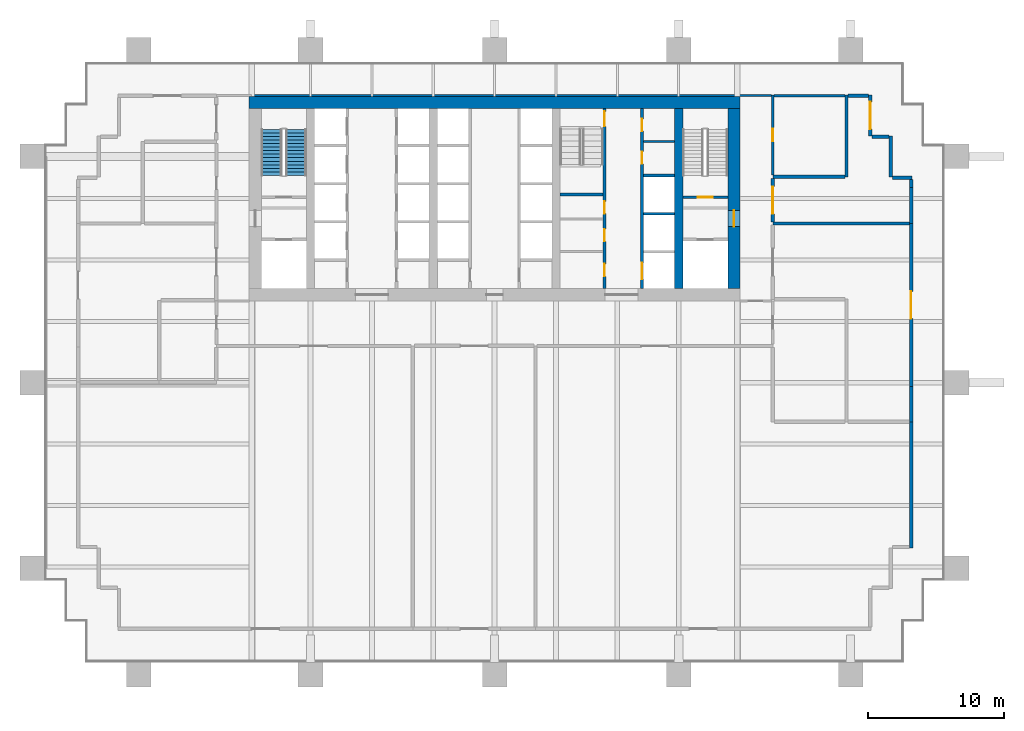
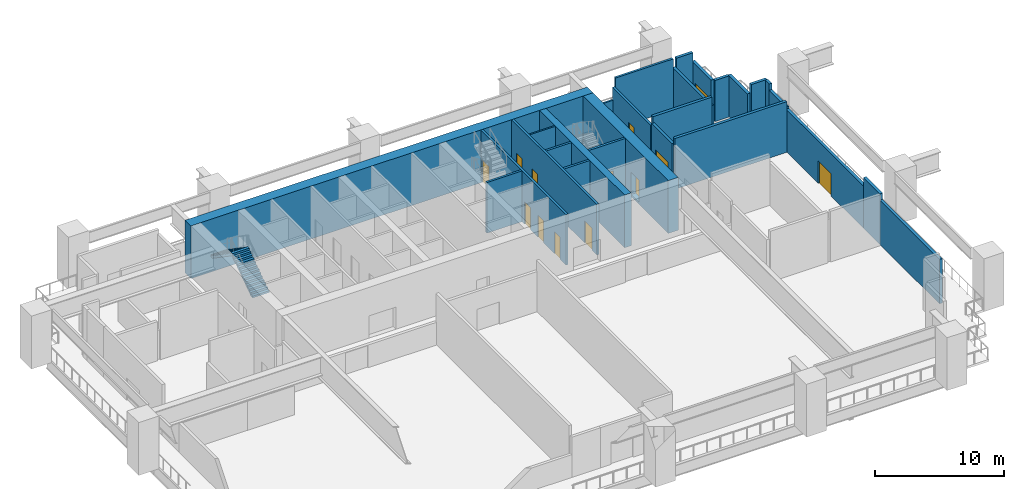
# One storey, part 5 of 11: 27 walls, 13 doors, 2 stair flights, 13 openings, 1 element without a shape of its own.
"""IFC4 building model written with IfcOpenShell, lengths in metres."""

from ifc_helpers import new_model, si_unit, direction, frame, frame_2d, origin, place, context, subcontext, project, spatial, polyline, rectangle, outline, extrude, material, layer, layer_set, type_object, element, fill, aggregate, save


model = new_model("IFC4")

# Units and contexts
model_context = context("Model", 3, precision=1e-05, world=origin(), true_north=direction((0.0, 1.0)))
body_context = subcontext(model_context, "Body", "Model", "MODEL_VIEW")
ifc_project = project(units=[si_unit("LENGTHUNIT", "METRE"), si_unit("AREAUNIT", "SQUARE_METRE"), si_unit("VOLUMEUNIT", "CUBIC_METRE"), si_unit("PLANEANGLEUNIT", "RADIAN"), si_unit("MASSUNIT", "GRAM", prefix="KILO")], contexts=[model_context])

# Site, building, storey
site_placement = place(None, origin())
site = spatial("IfcSite", under=ifc_project, at=site_placement, CompositionType="ELEMENT")
building_placement = place(site_placement, origin())
building = spatial("IfcBuilding", under=site, at=building_placement, Name="Rattan Terrace Tower", CompositionType="ELEMENT")
storey_placement = place(building_placement, frame((0.0, 0.0, 69.300048828125)))
storey = spatial("IfcBuildingStorey", under=building, at=storey_placement, Name="L15", CompositionType="ELEMENT", Elevation=69.300048828125)

# Wall
ifc_material_1 = material(Name="Gypsum board partition")
ifc_layer_1 = layer(ifc_material_1, 0.14990234375)
ifc_layer_set_1 = layer_set([ifc_layer_1], Name="Core partition 150")
wall_type_1 = type_object("IfcWallType", Name="Core partition 150", PredefinedType="PARTITIONING", material=ifc_layer_set_1)
wall_1_placement = place(storey_placement, frame((10.89990234375, 4.199951171875, 0.0), z_axis=(0.0, 0.0, 1.0), x_axis=(1.0, 0.0, 0.0)))
element("IfcWall", 1, at=wall_1_placement, inside=storey, type_object=wall_type_1, Name="Riser room wall", PredefinedType="PARTITIONING", context=body_context, shape_type="SweptSolid", body=[
    extrude(rectangle(XDim=2.300048828125, YDim=0.14990234375, at=frame_2d((1.14990234375, 0.0))), origin(), (0.0, 0.0, 1.0), 4.800048828125),
])

# Wall, opening, door
ifc_material_2 = material(Name="Gypsum board partition")
ifc_layer_2 = layer(ifc_material_2, 0.199951171875)
ifc_layer_set_2 = layer_set([ifc_layer_2], Name="Core partition 200")
wall_type_2 = type_object("IfcWallType", Name="Core partition 200", PredefinedType="PARTITIONING", material=ifc_layer_set_2)
wall_2_placement = place(storey_placement, frame((13.800048828125, 0.10009765625, 0.0), z_axis=(0.0, 0.0, 1.0), x_axis=(1.0, 0.0, 0.0)))
wall_2 = element("IfcWall", 2, at=wall_2_placement, inside=storey, type_object=wall_type_2, Name="Stair enclosure wall", PredefinedType="PARTITIONING", context=body_context, shape_type="SweptSolid", body=[
    extrude(rectangle(XDim=3.300048828125, YDim=0.199951171875, at=frame_2d((1.64990234375, 0.0))), origin(), (0.0, 0.0, 1.0), 4.800048828125),
])
opening_1_placement = place(wall_2_placement, frame((1.10009765625, 0.0, 0.0)))
opening_1 = element("IfcOpeningElement", 3, at=opening_1_placement, cuts=wall_2, Name="Opening L15-D004", PredefinedType="OPENING", context=body_context, shape_type="SweptSolid", body=[
    extrude(rectangle(XDim=1.10009765625, YDim=2.10009765625, at=frame_2d((0.550048828125, 1.050048828125))), frame((0.0, 0.110595703125, 0.0), z_axis=(0.0, -1.0, 0.0), x_axis=(1.0, 0.0, 0.0)), (0.0, 0.0, 1.0), 0.220947265625),
])
ifc_material_3 = material(Name="Hollow-metal fire door leaf")
door_type_1 = type_object("IfcDoorType", Name="Core stair door 1100", OperationType="NOTDEFINED", PredefinedType="DOOR", material=ifc_material_3)
door_1_placement = place(opening_1_placement, origin())
door_1 = element("IfcDoor", 4, at=door_1_placement, inside=storey, type_object=door_type_1, Name="Door L15-D004", OperationType="SINGLE_SWING_LEFT", OverallHeight=2.10009765625, OverallWidth=1.10009765625, PredefinedType="DOOR", context=body_context, shape_type="SweptSolid", body=[
    extrude(rectangle(XDim=1.10009765625, YDim=2.10009765625, at=frame_2d((0.550048828125, 1.050048828125))), frame((0.0, 0.02490234375, 0.0), z_axis=(0.0, -1.0, 0.0), x_axis=(1.0, 0.0, 0.0)), (0.0, 0.0, 1.0), 0.050048828125),
])
fill(opening_1, door_1)

# Wall, openings, doors
wall_3_placement = place(storey_placement, frame((8.050048828125, -6.60009765625, 0.0), z_axis=(0.0, 0.0, 1.0), x_axis=(0.0, 1.0, 0.0)))
wall_3 = element("IfcWall", 5, at=wall_3_placement, inside=storey, type_object=wall_type_2, Name="Lobby wall west", PredefinedType="PARTITIONING", context=body_context, shape_type="SweptSolid", body=[
    extrude(rectangle(XDim=13.2001953125, YDim=0.199951171875, at=frame_2d((6.60009765625, 0.0))), origin(), (0.0, 0.0, 1.0), 4.800048828125),
])
opening_2_placement = place(wall_3_placement, frame((0.909912109375, 0.0, 0.0)))
opening_2 = element("IfcOpeningElement", 6, at=opening_2_placement, cuts=wall_3, Name="Opening L15-D011", PredefinedType="OPENING", context=body_context, shape_type="SweptSolid", body=[
    extrude(rectangle(XDim=0.89990234375, YDim=2.10009765625, at=frame_2d((0.449951171875, 1.050048828125))), frame((0.0, 0.110595703125, 0.0), z_axis=(0.0, -1.0, 0.0), x_axis=(1.0, 0.0, 0.0)), (0.0, 0.0, 1.0), 0.220947265625),
])
opening_3_placement = place(wall_3_placement, frame((3.4599609375, 0.0, 0.0)))
opening_3 = element("IfcOpeningElement", 7, at=opening_3_placement, cuts=wall_3, Name="Opening L15-D012", PredefinedType="OPENING", context=body_context, shape_type="SweptSolid", body=[
    extrude(rectangle(XDim=0.89990234375, YDim=2.10009765625, at=frame_2d((0.449951171875, 1.050048828125))), frame((0.0, 0.110595703125, 0.0), z_axis=(0.0, -1.0, 0.0), x_axis=(1.0, 0.0, 0.0)), (0.0, 0.0, 1.0), 0.220947265625),
])
opening_4_placement = place(wall_3_placement, frame((5.5, 0.0, 0.0)))
opening_4 = element("IfcOpeningElement", 8, at=opening_4_placement, cuts=wall_3, Name="Opening L15-D013", PredefinedType="OPENING", context=body_context, shape_type="SweptSolid", body=[
    extrude(rectangle(XDim=0.89990234375, YDim=2.10009765625, at=frame_2d((0.449951171875, 1.050048828125))), frame((0.0, 0.110595703125, 0.0), z_axis=(0.0, -1.0, 0.0), x_axis=(1.0, 0.0, 0.0)), (0.0, 0.0, 1.0), 0.220947265625),
])
opening_5_placement = place(wall_3_placement, frame((11.89990234375, 0.0, 0.0)))
opening_5 = element("IfcOpeningElement", 9, at=opening_5_placement, cuts=wall_3, Name="Opening L15-D014", PredefinedType="OPENING", context=body_context, shape_type="SweptSolid", body=[
    extrude(rectangle(XDim=1.10009765625, YDim=2.10009765625, at=frame_2d((0.550048828125, 1.050048828125))), frame((0.0, 0.110595703125, 0.0), z_axis=(0.0, -1.0, 0.0), x_axis=(1.0, 0.0, 0.0)), (0.0, 0.0, 1.0), 0.220947265625),
])
ifc_material_4 = material(Name="Hollow-metal fire door leaf")
door_type_2 = type_object("IfcDoorType", Name="Core service room door 900", OperationType="NOTDEFINED", PredefinedType="DOOR", material=ifc_material_4)
door_2_placement = place(opening_4_placement, origin())
door_2 = element("IfcDoor", 10, at=door_2_placement, inside=storey, type_object=door_type_2, Name="Door L15-D013", OperationType="SINGLE_SWING_LEFT", OverallHeight=2.10009765625, OverallWidth=0.89990234375, PredefinedType="DOOR", context=body_context, shape_type="SweptSolid", body=[
    extrude(rectangle(XDim=0.89990234375, YDim=2.10009765625, at=frame_2d((0.449951171875, 1.050048828125))), frame((0.0, 0.02490234375, 0.0), z_axis=(0.0, -1.0, 0.0), x_axis=(1.0, 0.0, 0.0)), (0.0, 0.0, 1.0), 0.050048828125),
])
fill(opening_4, door_2)
door_3_placement = place(opening_5_placement, origin())
door_3 = element("IfcDoor", 11, at=door_3_placement, inside=storey, type_object=door_type_1, Name="Door L15-D014", OperationType="SINGLE_SWING_RIGHT", OverallHeight=2.10009765625, OverallWidth=1.10009765625, PredefinedType="DOOR", context=body_context, shape_type="SweptSolid", body=[
    extrude(rectangle(XDim=1.10009765625, YDim=2.10009765625, at=frame_2d((0.550048828125, 1.050048828125))), frame((0.0, 0.02490234375, 0.0), z_axis=(0.0, -1.0, 0.0), x_axis=(1.0, 0.0, 0.0)), (0.0, 0.0, 1.0), 0.050048828125),
])
fill(opening_5, door_3)
ifc_material_5 = material(Name="Hollow-metal fire door leaf")
door_type_3 = type_object("IfcDoorType", Name="Core toilet door 900", OperationType="NOTDEFINED", PredefinedType="DOOR", material=ifc_material_5)
door_4_placement = place(opening_2_placement, origin())
door_4 = element("IfcDoor", 12, at=door_4_placement, inside=storey, type_object=door_type_3, Name="Door L15-D011", OperationType="SINGLE_SWING_LEFT", OverallHeight=2.10009765625, OverallWidth=0.89990234375, PredefinedType="DOOR", context=body_context, shape_type="SweptSolid", body=[
    extrude(rectangle(XDim=0.89990234375, YDim=2.10009765625, at=frame_2d((0.449951171875, 1.050048828125))), frame((0.0, 0.02490234375, 0.0), z_axis=(0.0, -1.0, 0.0), x_axis=(1.0, 0.0, 0.0)), (0.0, 0.0, 1.0), 0.050048828125),
])
fill(opening_2, door_4)
door_5_placement = place(opening_3_placement, origin())
door_5 = element("IfcDoor", 13, at=door_5_placement, inside=storey, type_object=door_type_3, Name="Door L15-D012", OperationType="SINGLE_SWING_RIGHT", OverallHeight=2.10009765625, OverallWidth=0.89990234375, PredefinedType="DOOR", context=body_context, shape_type="SweptSolid", body=[
    extrude(rectangle(XDim=0.89990234375, YDim=2.10009765625, at=frame_2d((0.449951171875, 1.050048828125))), frame((0.0, 0.02490234375, 0.0), z_axis=(0.0, -1.0, 0.0), x_axis=(1.0, 0.0, 0.0)), (0.0, 0.0, 1.0), 0.050048828125),
])
fill(opening_3, door_5)

# Walls
wall_4_placement = place(storey_placement, frame((4.800048828125, 0.300048828125, 0.0), z_axis=(0.0, 0.0, 1.0), x_axis=(1.0, 0.0, 0.0)))
element("IfcWall", 14, at=wall_4_placement, inside=storey, type_object=wall_type_2, Name="Stair enclosure wall", PredefinedType="PARTITIONING", context=body_context, shape_type="SweptSolid", body=[
    extrude(rectangle(XDim=3.14990234375, YDim=0.199951171875, at=frame_2d((1.574951171875, 0.0))), origin(), (0.0, 0.0, 1.0), 4.800048828125),
])
ifc_material_6 = material(Name="Concrete C70/85", Category="concrete")
ifc_layer_3 = layer(ifc_material_6, 0.89990234375)
ifc_layer_set_3 = layer_set([ifc_layer_3], Name="Core ring wall 900 C70/85")
wall_type_3 = type_object("IfcWallType", Name="Core ring wall 900 C70/85", PredefinedType="SHEAR", material=ifc_layer_set_3)
wall_5_placement = place(storey_placement, frame((-18.0, 7.050048828125, -0.199951171875), z_axis=(0.0, 0.0, 1.0), x_axis=(1.0, 0.0, 0.0)))
element("IfcWall", 15, at=wall_5_placement, inside=storey, type_object=wall_type_3, Name="Rear core wall north", PredefinedType="SHEAR", context=body_context, shape_type="SweptSolid", body=[
    extrude(rectangle(XDim=36.0, YDim=0.89990234375, at=frame_2d((18.0, 0.0))), origin(), (0.0, 0.0, 1.0), 5.0),
])

# Wall, opening, door
wall_6_placement = place(storey_placement, frame((17.550048828125, -6.60009765625, -0.199951171875), z_axis=(0.0, 0.0, 1.0), x_axis=(0.0, 1.0, 0.0)))
wall_6 = element("IfcWall", 16, at=wall_6_placement, inside=storey, type_object=wall_type_3, Name="Rear core wall east", PredefinedType="SHEAR", context=body_context, shape_type="SweptSolid", body=[
    extrude(rectangle(XDim=13.2001953125, YDim=0.89990234375, at=frame_2d((6.60009765625, 0.0))), origin(), (0.0, 0.0, 1.0), 5.0),
])
opening_6_placement = place(wall_6_placement, frame((4.550048828125, 0.0, 0.199951171875)))
opening_6 = element("IfcOpeningElement", 17, at=opening_6_placement, cuts=wall_6, Name="Opening L15-D003", PredefinedType="OPENING", context=body_context, shape_type="SweptSolid", body=[
    extrude(rectangle(XDim=1.199951171875, YDim=2.10009765625, at=frame_2d((0.60009765625, 1.050048828125))), frame((0.0, 0.46044921875, 0.0), z_axis=(0.0, -1.0, 0.0), x_axis=(1.0, 0.0, 0.0)), (0.0, 0.0, 1.0), 0.9208984375),
])
ifc_material_7 = material(Name="Hollow-metal fire door leaf")
door_type_4 = type_object("IfcDoorType", Name="Core fire-fighting lobby door 1200", OperationType="NOTDEFINED", PredefinedType="DOOR", material=ifc_material_7)
door_6_placement = place(opening_6_placement, origin())
door_6 = element("IfcDoor", 18, at=door_6_placement, inside=storey, type_object=door_type_4, Name="Door L15-D003", OperationType="SINGLE_SWING_RIGHT", OverallHeight=2.10009765625, OverallWidth=1.199951171875, PredefinedType="DOOR", context=body_context, shape_type="SweptSolid", body=[
    extrude(rectangle(XDim=1.199951171875, YDim=2.10009765625, at=frame_2d((0.60009765625, 1.050048828125))), frame((0.0, 0.02490234375, 0.0), z_axis=(0.0, -1.0, 0.0), x_axis=(1.0, 0.0, 0.0)), (0.0, 0.0, 1.0), 0.050048828125),
])
fill(opening_6, door_6)

# Wall
ifc_material_8 = material(Name="Concrete C70/85", Category="concrete")
ifc_layer_4 = layer(ifc_material_8, 0.60009765625)
ifc_layer_set_4 = layer_set([ifc_layer_4], Name="Core spine wall 600 C70/85")
wall_type_4 = type_object("IfcWallType", Name="Core spine wall 600 C70/85", PredefinedType="SHEAR", material=ifc_layer_set_4)
wall_7_placement = place(storey_placement, frame((13.5, -6.60009765625, -0.199951171875), z_axis=(0.0, 0.0, 1.0), x_axis=(0.0, 1.0, 0.0)))
element("IfcWall", 19, at=wall_7_placement, inside=storey, type_object=wall_type_4, Name="Core spine wall 4", PredefinedType="SHEAR", context=body_context, shape_type="SweptSolid", body=[
    extrude(rectangle(XDim=13.2001953125, YDim=0.60009765625, at=frame_2d((6.60009765625, 0.0))), origin(), (0.0, 0.0, 1.0), 5.0),
])

# Wall, opening, door
ifc_material_9 = material(Name="Concrete block wall, plastered", Category="concrete")
ifc_layer_5 = layer(ifc_material_9, 0.199951171875)
ifc_layer_set_5 = layer_set([ifc_layer_5], Name="Floors Plant Wall 200")
wall_type_5 = type_object("IfcWallType", Name="Floors Plant Wall 200", PredefinedType="PARTITIONING", material=ifc_layer_set_5)
wall_8_placement = place(storey_placement, frame((20.39990234375, 7.60009765625, 0.0), z_axis=(0.0, 0.0, 1.0), x_axis=(0.0, -1.0, 0.0)))
wall_8 = element("IfcWall", 20, at=wall_8_placement, inside=storey, type_object=wall_type_5, Name="pt-L15-012", PredefinedType="PARTITIONING", context=body_context, shape_type="SweptSolid", body=[
    extrude(rectangle(XDim=5.8759765625, YDim=0.199951171875, at=frame_2d((2.93798828125, 0.0))), origin(), (0.0, 0.0, 1.0), 3.89990234375),
])
opening_7_placement = place(wall_8_placement, frame((2.488037109375, 0.0, 0.0)))
opening_7 = element("IfcOpeningElement", 21, at=opening_7_placement, cuts=wall_8, Name="Opening L15-D116", PredefinedType="OPENING", context=body_context, shape_type="SweptSolid", body=[
    extrude(rectangle(XDim=0.89990234375, YDim=2.10009765625, at=frame_2d((0.449951171875, 1.050048828125))), frame((0.0, 0.110595703125, 0.0), z_axis=(0.0, -1.0, 0.0), x_axis=(1.0, 0.0, 0.0)), (0.0, 0.0, 1.0), 0.220947265625),
])
ifc_material_10 = material(Name="Steel fire door set", Category="steel")
door_type_5 = type_object("IfcDoorType", Name="Floors Fire Door FD60 900x2100", OperationType="NOTDEFINED", PredefinedType="DOOR", material=ifc_material_10)
door_7_placement = place(opening_7_placement, origin())
door_7 = element("IfcDoor", 22, at=door_7_placement, inside=storey, type_object=door_type_5, Name="d-L15-116", OperationType="SINGLE_SWING_LEFT", OverallHeight=2.10009765625, OverallWidth=0.89990234375, PredefinedType="DOOR", context=body_context, shape_type="SweptSolid", body=[
    extrude(rectangle(XDim=0.89990234375, YDim=2.10009765625, at=frame_2d((0.449951171875, 1.050048828125))), frame((0.0, 0.02490234375, 0.0), z_axis=(0.0, -1.0, 0.0), x_axis=(1.0, 0.0, 0.0)), (0.0, 0.0, 1.0), 0.050048828125),
])
fill(opening_7, door_7)

# Wall
wall_9_placement = place(storey_placement, frame((20.5, 7.551025390625, 0.0), z_axis=(0.0, 0.0, 1.0), x_axis=(1.0, 0.0, 0.0)))
element("IfcWall", 23, at=wall_9_placement, inside=storey, type_object=wall_type_5, Name="pt-L15-061", PredefinedType="PARTITIONING", context=body_context, shape_type="SweptSolid", body=[
    extrude(rectangle(XDim=5.175048828125, YDim=0.199951171875, at=frame_2d((2.58740234375, 0.0))), origin(), (0.0, 0.0, 1.0), 4.800048828125),
])

# Wall, opening, door
ifc_material_11 = material(Name="Reinforced concrete wall, painted", Category="concrete")
ifc_layer_6 = layer(ifc_material_11, 0.25)
ifc_layer_set_6 = layer_set([ifc_layer_6], Name="Floors Refuge Wall 250")
wall_type_6 = type_object("IfcWallType", Name="Floors Refuge Wall 250", PredefinedType="PARTITIONING", material=ifc_layer_set_6)
wall_10_placement = place(storey_placement, frame((20.39794921875, 1.47412109375, 0.0), z_axis=(0.0, 0.0, 1.0), x_axis=(0.0, -1.0, 0.0)))
wall_10 = element("IfcWall", 24, at=wall_10_placement, inside=storey, type_object=wall_type_6, Name="pt-L15-013", PredefinedType="PARTITIONING", context=body_context, shape_type="SweptSolid", body=[
    extrude(rectangle(XDim=3.167236328125, YDim=0.25, at=frame_2d((1.58349609375, 0.0))), origin(), (0.0, 0.0, 1.0), 4.199951171875),
])
opening_8_placement = place(wall_10_placement, frame((0.5830078125, 0.0, 0.0)))
opening_8 = element("IfcOpeningElement", 25, at=opening_8_placement, cuts=wall_10, Name="Opening L15-D117", PredefinedType="OPENING", context=body_context, shape_type="SweptSolid", body=[
    extrude(rectangle(XDim=2.0, YDim=2.10009765625, at=frame_2d((1.0, 1.050048828125))), frame((0.0, 0.135498046875, 0.0), z_axis=(0.0, -1.0, 0.0), x_axis=(1.0, 0.0, 0.0)), (0.0, 0.0, 1.0), 0.27099609375),
])
ifc_material_12 = material(Name="Steel fire door set", Category="steel")
door_type_6 = type_object("IfcDoorType", Name="Floors Plant Equipment Door Pair FD120 2000x2100", OperationType="NOTDEFINED", PredefinedType="DOOR", material=ifc_material_12)
door_8_placement = place(opening_8_placement, origin())
door_8 = element("IfcDoor", 26, at=door_8_placement, inside=storey, type_object=door_type_6, Name="d-L15-117", OperationType="DOUBLE_DOOR_SINGLE_SWING", OverallHeight=2.10009765625, OverallWidth=2.0, PredefinedType="DOOR", context=body_context, shape_type="SweptSolid", body=[
    extrude(rectangle(XDim=2.0, YDim=2.10009765625, at=frame_2d((1.0, 1.050048828125))), frame((0.0, 0.02490234375, 0.0), z_axis=(0.0, -1.0, 0.0), x_axis=(1.0, 0.0, 0.0)), (0.0, 0.0, 1.0), 0.050048828125),
])
fill(opening_8, door_8)

# Walls
wall_11_placement = place(storey_placement, frame((30.5390625, -16.364013671875, 0.0), z_axis=(0.0, 0.0, 1.0), x_axis=(0.0, -1.0, 0.0)))
element("IfcWall", 27, at=wall_11_placement, inside=storey, type_object=wall_type_6, Name="pt-L15-053", PredefinedType="PARTITIONING", context=body_context, shape_type="SweptSolid", body=[
    extrude(rectangle(XDim=9.236083984375, YDim=0.25, at=frame_2d((4.6181640625, 0.0))), origin(), (0.0, 0.0, 1.0), 4.199951171875),
])
wall_12_placement = place(storey_placement, frame((20.39990234375, -1.818115234375, 0.0), z_axis=(0.0, 0.0, 1.0), x_axis=(1.0, 0.0, 0.0)))
element("IfcWall", 28, at=wall_12_placement, inside=storey, type_object=wall_type_6, Name="pt-L15-056", PredefinedType="PARTITIONING", context=body_context, shape_type="SweptSolid", body=[
    extrude(rectangle(XDim=10.01318359375, YDim=0.25, at=frame_2d((5.006591796875, 0.0))), origin(), (0.0, 0.0, 1.0), 4.800048828125),
])
wall_13_placement = place(storey_placement, frame((30.5390625, -13.783935546875, 0.0), z_axis=(0.0, 0.0, 1.0), x_axis=(0.0, -1.0, 0.0)))
element("IfcWall", 29, at=wall_13_placement, inside=storey, type_object=wall_type_6, Name="pt-L15-057", PredefinedType="PARTITIONING", context=body_context, shape_type="SweptSolid", body=[
    extrude(rectangle(XDim=2.580078125, YDim=0.25, at=frame_2d((1.2900390625, 0.0))), origin(), (0.0, 0.0, 1.0), 4.800048828125),
])

# Wall, opening, door
wall_14_placement = place(storey_placement, frame((30.5380859375, -13.783935546875, 0.0), z_axis=(0.0, 0.0, 1.0), x_axis=(0.0, 1.0, 0.0)))
wall_14 = element("IfcWall", 30, at=wall_14_placement, inside=storey, type_object=wall_type_6, Name="pt-L15-058", PredefinedType="PARTITIONING", context=body_context, shape_type="SweptSolid", body=[
    extrude(rectangle(XDim=11.9658203125, YDim=0.25, at=frame_2d((5.98291015625, 0.0))), origin(), (0.0, 0.0, 1.0), 4.0),
])
opening_9_placement = place(wall_14_placement, frame((4.98291015625, 0.0, 0.0)))
opening_9 = element("IfcOpeningElement", 31, at=opening_9_placement, cuts=wall_14, Name="Opening L15-D115", PredefinedType="OPENING", context=body_context, shape_type="SweptSolid", body=[
    extrude(rectangle(XDim=2.0, YDim=2.10009765625, at=frame_2d((1.0, 1.050048828125))), frame((0.0, 0.135498046875, 0.0), z_axis=(0.0, -1.0, 0.0), x_axis=(1.0, 0.0, 0.0)), (0.0, 0.0, 1.0), 0.27099609375),
])
door_9_placement = place(opening_9_placement, origin())
door_9 = element("IfcDoor", 32, at=door_9_placement, inside=storey, type_object=door_type_6, Name="d-L15-115", OperationType="DOUBLE_DOOR_SINGLE_SWING", OverallHeight=2.10009765625, OverallWidth=2.0, PredefinedType="DOOR", context=body_context, shape_type="SweptSolid", body=[
    extrude(rectangle(XDim=2.0, YDim=2.10009765625, at=frame_2d((1.0, 1.050048828125))), frame((0.0, 0.02490234375, 0.0), z_axis=(0.0, -1.0, 0.0), x_axis=(1.0, 0.0, 0.0)), (0.0, 0.0, 1.0), 0.050048828125),
])
fill(opening_9, door_9)

# Walls
wall_15_placement = place(storey_placement, frame((25.675048828125, 1.59912109375, 0.0), z_axis=(0.0, 0.0, 1.0), x_axis=(-1.0, 0.0, 0.0)))
element("IfcWall", 33, at=wall_15_placement, inside=storey, type_object=wall_type_6, Name="pt-L15-059", PredefinedType="PARTITIONING", context=body_context, shape_type="SweptSolid", body=[
    extrude(rectangle(XDim=5.275146484375, YDim=0.25, at=frame_2d((2.6376953125, 0.0))), origin(), (0.0, 0.0, 1.0), 4.800048828125),
])
wall_16_placement = place(storey_placement, frame((25.800048828125, 7.60009765625, 0.0), z_axis=(0.0, 0.0, 1.0), x_axis=(0.0, -1.0, 0.0)))
element("IfcWall", 34, at=wall_16_placement, inside=storey, type_object=wall_type_6, Name="pt-L15-060", PredefinedType="PARTITIONING", context=body_context, shape_type="SweptSolid", body=[
    extrude(rectangle(XDim=6.0, YDim=0.25, at=frame_2d((3.0, 0.0))), origin(), (0.0, 0.0, 1.0), 3.89990234375),
])
wall_17_placement = place(storey_placement, frame((30.5390625, 0.802001953125, 0.0), z_axis=(0.0, 0.0, 1.0), x_axis=(0.0, -1.0, 0.0)))
element("IfcWall", 35, at=wall_17_placement, inside=storey, type_object=wall_type_6, Name="pt-L15-062", PredefinedType="PARTITIONING", context=body_context, shape_type="SweptSolid", body=[
    extrude(rectangle(XDim=2.6201171875, YDim=0.25, at=frame_2d((1.31005859375, 0.0))), origin(), (0.0, 0.0, 1.0), 4.199951171875),
])
wall_18_placement = place(storey_placement, frame((25.925048828125, 7.5390625, 0.0), z_axis=(0.0, 0.0, 1.0), x_axis=(1.0, 0.0, 0.0)))
element("IfcWall", 36, at=wall_18_placement, inside=storey, type_object=wall_type_6, Name="pt-L15-063", PredefinedType="PARTITIONING", context=body_context, shape_type="SweptSolid", body=[
    extrude(rectangle(XDim=1.489013671875, YDim=0.25, at=frame_2d((0.74462890625, 0.0))), origin(), (0.0, 0.0, 1.0), 4.800048828125),
])

# Wall, opening, door
wall_19_placement = place(storey_placement, frame((27.5390625, 4.60009765625, 0.0), z_axis=(0.0, 0.0, 1.0), x_axis=(0.0, 1.0, 0.0)))
wall_19 = element("IfcWall", 37, at=wall_19_placement, inside=storey, type_object=wall_type_6, Name="pt-L15-064", PredefinedType="PARTITIONING", context=body_context, shape_type="SweptSolid", body=[
    extrude(rectangle(XDim=3.0, YDim=0.25, at=frame_2d((1.5, 0.0))), origin(), (0.0, 0.0, 1.0), 3.89990234375),
])
opening_10_placement = place(wall_19_placement, frame((0.5, 0.0, 0.0)))
opening_10 = element("IfcOpeningElement", 38, at=opening_10_placement, cuts=wall_19, Name="Opening L15-D118", PredefinedType="OPENING", context=body_context, shape_type="SweptSolid", body=[
    extrude(rectangle(XDim=2.0, YDim=2.10009765625, at=frame_2d((1.0, 1.050048828125))), frame((0.0, 0.135498046875, 0.0), z_axis=(0.0, -1.0, 0.0), x_axis=(1.0, 0.0, 0.0)), (0.0, 0.0, 1.0), 0.27099609375),
])
door_10_placement = place(opening_10_placement, origin())
door_10 = element("IfcDoor", 39, at=door_10_placement, inside=storey, type_object=door_type_6, Name="d-L15-118", OperationType="DOUBLE_DOOR_SINGLE_SWING", OverallHeight=2.10009765625, OverallWidth=2.0, PredefinedType="DOOR", context=body_context, shape_type="SweptSolid", body=[
    extrude(rectangle(XDim=2.0, YDim=2.10009765625, at=frame_2d((1.0, 1.050048828125))), frame((0.0, 0.02490234375, 0.0), z_axis=(0.0, -1.0, 0.0), x_axis=(1.0, 0.0, 0.0)), (0.0, 0.0, 1.0), 0.050048828125),
])
fill(opening_10, door_10)

# Walls
wall_20_placement = place(storey_placement, frame((27.6640625, 4.5380859375, 0.0), z_axis=(0.0, 0.0, 1.0), x_axis=(1.0, 0.0, 0.0)))
element("IfcWall", 40, at=wall_20_placement, inside=storey, type_object=wall_type_6, Name="pt-L15-065", PredefinedType="PARTITIONING", context=body_context, shape_type="SweptSolid", body=[
    extrude(rectangle(XDim=1.25, YDim=0.25, at=frame_2d((0.625, 0.0))), origin(), (0.0, 0.0, 1.0), 3.89990234375),
])
wall_21_placement = place(storey_placement, frame((29.0390625, 4.60009765625, 0.0), z_axis=(0.0, 0.0, 1.0), x_axis=(0.0, -1.0, 0.0)))
element("IfcWall", 41, at=wall_21_placement, inside=storey, type_object=wall_type_6, Name="pt-L15-066", PredefinedType="PARTITIONING", context=body_context, shape_type="SweptSolid", body=[
    extrude(rectangle(XDim=3.0, YDim=0.25, at=frame_2d((1.5, 0.0))), origin(), (0.0, 0.0, 1.0), 3.89990234375),
])
wall_22_placement = place(storey_placement, frame((29.1640625, 1.5380859375, 0.0), z_axis=(0.0, 0.0, 1.0), x_axis=(1.0, 0.0, 0.0)))
element("IfcWall", 42, at=wall_22_placement, inside=storey, type_object=wall_type_6, Name="pt-L15-067", PredefinedType="PARTITIONING", context=body_context, shape_type="SweptSolid", body=[
    extrude(rectangle(XDim=1.43603515625, YDim=0.25, at=frame_2d((0.718017578125, 0.0))), origin(), (0.0, 0.0, 1.0), 4.800048828125),
])
wall_23_placement = place(storey_placement, frame((30.5390625, 1.4130859375, 0.0), z_axis=(0.0, 0.0, 1.0), x_axis=(0.0, -1.0, 0.0)))
element("IfcWall", 43, at=wall_23_placement, inside=storey, type_object=wall_type_6, Name="pt-L15-068", PredefinedType="PARTITIONING", context=body_context, shape_type="SweptSolid", body=[
    extrude(rectangle(XDim=0.611083984375, YDim=0.25, at=frame_2d((0.3056640625, 0.0))), origin(), (0.0, 0.0, 1.0), 4.800048828125),
])
ifc_material_13 = material(Name="Gypsum board partition on steel studs, fire rated", Category="steel")
ifc_layer_7 = layer(ifc_material_13, 0.14990234375)
ifc_layer_set_7 = layer_set([ifc_layer_7], Name="Floors Tenancy Wall 150")
wall_type_7 = type_object("IfcWallType", Name="Floors Tenancy Wall 150", PredefinedType="PARTITIONING", material=ifc_layer_set_7)
wall_24_placement = place(storey_placement, frame((-17.820068359375, 7.56396484375, 0.0), z_axis=(0.0, 0.0, 1.0), x_axis=(1.0, 0.0, 0.0)))
element("IfcWall", 44, at=wall_24_placement, inside=storey, type_object=wall_type_7, Name="pt-L15-014", PredefinedType="PARTITIONING", context=body_context, shape_type="SweptSolid", body=[
    extrude(rectangle(XDim=38.1201171875, YDim=0.14990234375, at=frame_2d((19.06005859375, 0.0))), origin(), (0.0, 0.0, 1.0), 2.75),
])

# Wall, openings, doors
ifc_material_14 = material(Name="Gypsum shaft wall system")
ifc_layer_8 = layer(ifc_material_14, 0.199951171875)
ifc_layer_set_8 = layer_set([ifc_layer_8], Name="Lift shaft wall 200")
wall_type_8 = type_object("IfcWallType", Name="Lift shaft wall 200", PredefinedType="PARTITIONING", material=ifc_layer_set_8)
wall_25_placement = place(storey_placement, frame((10.800048828125, -6.60009765625, 0.0), z_axis=(0.0, 0.0, 1.0), x_axis=(0.0, 1.0, 0.0)))
wall_25 = element("IfcWall", 45, at=wall_25_placement, inside=storey, type_object=wall_type_8, Name="Lift shaft front wall", PredefinedType="PARTITIONING", context=body_context, shape_type="SweptSolid", body=[
    extrude(rectangle(XDim=13.2001953125, YDim=0.199951171875, at=frame_2d((6.60009765625, 0.0))), origin(), (0.0, 0.0, 1.0), 4.800048828125),
])
opening_11_placement = place(wall_25_placement, frame((0.699951171875, 0.0, 0.0)))
opening_11 = element("IfcOpeningElement", 46, at=opening_11_placement, cuts=wall_25, Name="Opening L15-LD-SV1", PredefinedType="OPENING", context=body_context, shape_type="SweptSolid", body=[
    extrude(rectangle(XDim=1.199951171875, YDim=2.10009765625, at=frame_2d((0.60009765625, 1.050048828125))), frame((0.0, 0.110595703125, 0.0), z_axis=(0.0, -1.0, 0.0), x_axis=(1.0, 0.0, 0.0)), (0.0, 0.0, 1.0), 0.220947265625),
])
opening_12_placement = place(wall_25_placement, frame((9.14990234375, 0.0, 0.0)))
opening_12 = element("IfcOpeningElement", 47, at=opening_12_placement, cuts=wall_25, Name="Opening L15-D016", PredefinedType="OPENING", context=body_context, shape_type="SweptSolid", body=[
    extrude(rectangle(XDim=0.89990234375, YDim=2.10009765625, at=frame_2d((0.449951171875, 1.050048828125))), frame((0.0, 0.110595703125, 0.0), z_axis=(0.0, -1.0, 0.0), x_axis=(1.0, 0.0, 0.0)), (0.0, 0.0, 1.0), 0.220947265625),
])
opening_13_placement = place(wall_25_placement, frame((11.550048828125, 0.0, 0.0)))
opening_13 = element("IfcOpeningElement", 48, at=opening_13_placement, cuts=wall_25, Name="Opening L15-D017", PredefinedType="OPENING", context=body_context, shape_type="SweptSolid", body=[
    extrude(rectangle(XDim=0.89990234375, YDim=2.10009765625, at=frame_2d((0.449951171875, 1.050048828125))), frame((0.0, 0.110595703125, 0.0), z_axis=(0.0, -1.0, 0.0), x_axis=(1.0, 0.0, 0.0)), (0.0, 0.0, 1.0), 0.220947265625),
])
ifc_material_15 = material(Name="Brushed stainless landing door panel")
door_type_7 = type_object("IfcDoorType", Name="Core lift landing door 1200", OperationType="DOUBLE_DOOR_SLIDING", PredefinedType="DOOR", material=ifc_material_15)
door_11_placement = place(opening_11_placement, origin())
door_11 = element("IfcDoor", 49, at=door_11_placement, inside=storey, type_object=door_type_7, Name="Door L15-LD-SV1", OperationType="DOUBLE_DOOR_SLIDING", OverallHeight=2.10009765625, OverallWidth=1.199951171875, PredefinedType="DOOR", context=body_context, shape_type="SweptSolid", body=[
    extrude(rectangle(XDim=1.199951171875, YDim=2.10009765625, at=frame_2d((0.60009765625, 1.050048828125))), frame((0.0, 0.02490234375, 0.0), z_axis=(0.0, -1.0, 0.0), x_axis=(1.0, 0.0, 0.0)), (0.0, 0.0, 1.0), 0.050048828125),
])
fill(opening_11, door_11)
ifc_material_16 = material(Name="Hollow-metal fire door leaf")
door_type_8 = type_object("IfcDoorType", Name="Core riser door 900", OperationType="NOTDEFINED", PredefinedType="DOOR", material=ifc_material_16)
door_12_placement = place(opening_12_placement, origin())
door_12 = element("IfcDoor", 50, at=door_12_placement, inside=storey, type_object=door_type_8, Name="Door L15-D016", OperationType="SINGLE_SWING_LEFT", OverallHeight=2.10009765625, OverallWidth=0.89990234375, PredefinedType="DOOR", context=body_context, shape_type="SweptSolid", body=[
    extrude(rectangle(XDim=0.89990234375, YDim=2.10009765625, at=frame_2d((0.449951171875, 1.050048828125))), frame((0.0, 0.02490234375, 0.0), z_axis=(0.0, -1.0, 0.0), x_axis=(1.0, 0.0, 0.0)), (0.0, 0.0, 1.0), 0.050048828125),
])
fill(opening_12, door_12)
door_13_placement = place(opening_13_placement, origin())
door_13 = element("IfcDoor", 51, at=door_13_placement, inside=storey, type_object=door_type_8, Name="Door L15-D017", OperationType="SINGLE_SWING_RIGHT", OverallHeight=2.10009765625, OverallWidth=0.89990234375, PredefinedType="DOOR", context=body_context, shape_type="SweptSolid", body=[
    extrude(rectangle(XDim=0.89990234375, YDim=2.10009765625, at=frame_2d((0.449951171875, 1.050048828125))), frame((0.0, 0.02490234375, 0.0), z_axis=(0.0, -1.0, 0.0), x_axis=(1.0, 0.0, 0.0)), (0.0, 0.0, 1.0), 0.050048828125),
])
fill(opening_13, door_13)

# Walls
for number, where, z_axis, x_axis, name in (
    (52, (10.89990234375, -1.10009765625, 0.0), (0.0, 0.0, 1.0), (1.0, 0.0, 0.0), "Lift shaft wall"),
    (53, (10.89990234375, 1.699951171875, 0.0), (0.0, 0.0, 1.0), (1.0, 0.0, 0.0), "Lift shaft wall"),
):
    element("IfcWall", number, at=place(storey_placement, frame(where, z_axis=z_axis, x_axis=x_axis)), inside=storey, type_object=wall_type_8, Name=name, PredefinedType="PARTITIONING", context=body_context, shape_type="SweptSolid", body=[
        extrude(rectangle(XDim=2.300048828125, YDim=0.199951171875, at=frame_2d((1.14990234375, 0.0))), origin(), (0.0, 0.0, 1.0), 4.800048828125),
    ])

# Stair, stair flights
ifc_material_17 = material(Name="Concrete C40/50", Category="concrete")
stair_type = type_object("IfcStairType", Name="Core exit stair 1500", PredefinedType="HALF_TURN_STAIR", material=ifc_material_17)
stair_placement = place(storey_placement, origin())
stair = element("IfcStair", 54, at=stair_placement, inside=storey, type_object=stair_type, Name="L15 exit stair 1", PredefinedType="HALF_TURN_STAIR")
ifc_material_18 = material(Name="Concrete C40/50", Category="concrete")
stair_flight_type = type_object("IfcStairFlightType", Name="Core exit stair flight 1500", PredefinedType="STRAIGHT", material=ifc_material_18)
stair_flight_1_placement = place(storey_placement, frame((-14.550048828125, 1.699951171875, 0.0), z_axis=(0.0, 0.0, 1.0), x_axis=(0.0, 1.0, 0.0)))
stair_flight_1 = element("IfcStairFlight", 55, at=stair_flight_1_placement, type_object=stair_flight_type, Name="S1 flight 1", NumberOfRisers=14, NumberOfTreads=13, PredefinedType="STRAIGHT", RiserHeight=0.178571429, TreadLength=0.26, context=body_context, shape_type="SweptSolid", body=[
    extrude(outline(polyline([(0.0, 0.0), (0.0, 0.178466796875), (0.260009765625, 0.178466796875), (0.260009765625, 0.357177734375), (0.52001953125, 0.357177734375), (0.52001953125, 0.53564453125), (0.780029296875, 0.53564453125), (0.780029296875, 0.71435546875), (1.0400390625, 0.71435546875), (1.0400390625, 0.892822265625), (1.300048828125, 0.892822265625), (1.300048828125, 1.071533203125), (1.56005859375, 1.071533203125), (1.56005859375, 1.25), (1.820068359375, 1.25), (1.820068359375, 1.428466796875), (2.080078125, 1.428466796875), (2.080078125, 1.607177734375), (2.340087890625, 1.607177734375), (2.340087890625, 1.78564453125), (2.60009765625, 1.78564453125), (2.60009765625, 1.96435546875), (2.860107421875, 1.96435546875), (2.860107421875, 2.142822265625), (3.1201171875, 2.142822265625), (3.1201171875, 2.321533203125), (3.3798828125, 2.321533203125), (3.3798828125, 2.5), (3.3798828125, 2.1396484375), (0.264892578125, 0.0), (0.0, 0.0)])), frame((0.0, 0.75, 0.0), z_axis=(0.0, -1.0, 0.0), x_axis=(1.0, 0.0, 0.0)), (0.0, 0.0, 1.0), 1.5),
])
stair_flight_2_placement = place(storey_placement, frame((-16.35009765625, 5.080078125, 2.5), z_axis=(0.0, 0.0, 1.0), x_axis=(0.0, -1.0, 0.0)))
stair_flight_2 = element("IfcStairFlight", 56, at=stair_flight_2_placement, type_object=stair_flight_type, Name="S1 flight 2", NumberOfRisers=14, NumberOfTreads=13, PredefinedType="STRAIGHT", RiserHeight=0.178571429, TreadLength=0.26, context=body_context, shape_type="SweptSolid", body=[
    extrude(outline(polyline([(0.0, 0.0), (0.0, 0.178466796875), (0.260009765625, 0.178466796875), (0.260009765625, 0.357177734375), (0.52001953125, 0.357177734375), (0.52001953125, 0.53564453125), (0.780029296875, 0.53564453125), (0.780029296875, 0.71435546875), (1.0400390625, 0.71435546875), (1.0400390625, 0.892822265625), (1.300048828125, 0.892822265625), (1.300048828125, 1.071533203125), (1.56005859375, 1.071533203125), (1.56005859375, 1.25), (1.820068359375, 1.25), (1.820068359375, 1.428466796875), (2.080078125, 1.428466796875), (2.080078125, 1.607177734375), (2.340087890625, 1.607177734375), (2.340087890625, 1.78564453125), (2.60009765625, 1.78564453125), (2.60009765625, 1.96435546875), (2.860107421875, 1.96435546875), (2.860107421875, 2.142822265625), (3.1201171875, 2.142822265625), (3.1201171875, 2.321533203125), (3.3798828125, 2.321533203125), (3.3798828125, 2.5), (3.3798828125, 2.1396484375), (0.264892578125, 0.0), (0.0, 0.0)])), frame((0.0, 0.75, 0.0), z_axis=(0.0, -1.0, 0.0), x_axis=(1.0, 0.0, 0.0)), (0.0, 0.0, 1.0), 1.5),
])
aggregate(stair, [stair_flight_1, stair_flight_2])

save(model, "model.ifc")
